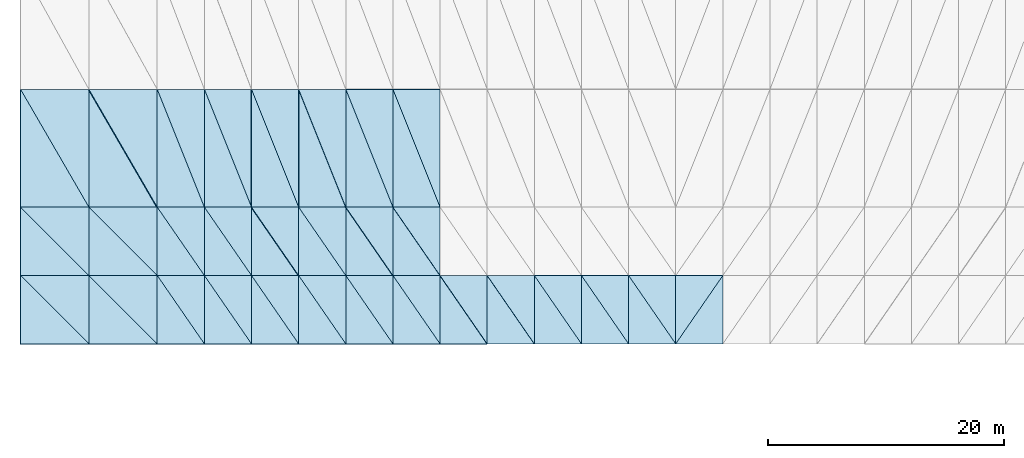
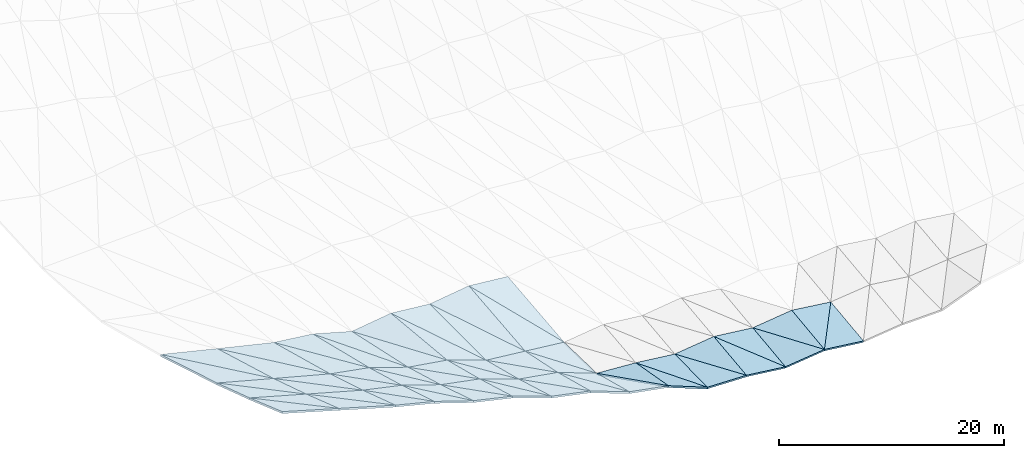
# One storey, part 24 of 42: 60 slabs, 2 elements without a shape of their own.
"""IFC4 building model written with IfcOpenShell, lengths in metres."""

from ifc_helpers import new_model, si_unit, direction, frame, origin, place, context, subcontext, project, spatial, polyline, outline, extrude, material, layer, layer_set, type_object, element, aggregate, save


model = new_model("IFC4")

# Units and contexts
model_context = context("Model", 3, precision=1e-05, world=origin(), true_north=direction((0.0, 1.0)))
body_context = subcontext(model_context, "Body", "Model", "MODEL_VIEW")
ifc_project = project(units=[si_unit("LENGTHUNIT", "METRE"), si_unit("AREAUNIT", "SQUARE_METRE"), si_unit("VOLUMEUNIT", "CUBIC_METRE"), si_unit("PLANEANGLEUNIT", "RADIAN"), si_unit("MASSUNIT", "GRAM", prefix="KILO")], contexts=[model_context])

# Site, building, storey
site_placement = place(None, origin())
site = spatial("IfcSite", under=ifc_project, at=site_placement, CompositionType="ELEMENT")
building_placement = place(site_placement, origin())
building = spatial("IfcBuilding", under=site, at=building_placement, Name="Khorjan Park Terminus", CompositionType="ELEMENT")
storey_placement = place(building_placement, frame((0.0, 0.0, 20.4)))
storey = spatial("IfcBuildingStorey", under=building, at=storey_placement, Name="L04", CompositionType="ELEMENT", Elevation=20.4)

# Roof, slabs
ifc_material = material(Name="Concrete C50/60", Category="concrete")
ifc_layer_1 = layer(ifc_material, 0.18)
ifc_layer_set_1 = layer_set([ifc_layer_1], Name="Concrete C50/60")
roof_type = type_object("IfcRoofType", Name="RF-SHELL-UPPER", PredefinedType="FREEFORM", material=ifc_layer_set_1)
roof_1_placement = place(storey_placement, origin())
roof_1 = element("IfcRoof", 1, at=roof_1_placement, inside=storey, type_object=roof_type, Name="Upper concourse upturned-corner folded concrete shell roof RF-CS1 (1)", PredefinedType="FREEFORM")
ifc_layer_2 = layer(ifc_material, 0.18)
ifc_layer_set_2 = layer_set([ifc_layer_2], Name="Concrete C50/60")
slab_type = type_object("IfcSlabType", Name="SL-SHL-180", PredefinedType="ROOF", material=ifc_layer_set_2)
slab_1_placement = place(storey_placement, frame((36.4, 14.4, 13.38), z_axis=(0.263585106078, 0.318346250279, 0.910592420783), x_axis=(0.960566359707, 0.0, -0.278050838157)))
slab_1 = element("IfcSlab", 2, at=slab_1_placement, type_object=slab_type, Name="Upper concourse folded concrete shell facet RS-18 (1)", PredefinedType="ROOF", context=body_context, shape_type="SweptSolid", body=[
    extrude(outline(polyline([(0.0, 0.0), (6.038104438480676, 0.0), (0.5638036845312661, 6.118307992844833), (0.0, 0.0)])), origin(), (0.0, 0.0, -1.0), 0.18),
])
slab_2_placement = place(storey_placement, frame((42.2, 14.4, 11.7011), z_axis=(0.255371541457, 0.310436819436, 0.915649691177), x_axis=(0.0, 0.947051068771, -0.321082969247)))
slab_2 = element("IfcSlab", 3, at=slab_2_placement, type_object=slab_type, Name="Upper concourse folded concrete shell facet RS-18 (2)", PredefinedType="ROOF", context=body_context, shape_type="SweptSolid", body=[
    extrude(outline(polyline([(0.0, 0.0), (6.124273749596764, 0.0), (5.604889938543339, 5.99890575161968), (0.0, 0.0)])), origin(), (0.0, 0.0, -1.0), 0.18),
])
slab_3_placement = place(storey_placement, frame((36.4, 20.2, 11.3523), z_axis=(0.256199804494, 0.300832040465, 0.918619477045), x_axis=(0.963239486929, 0.0, -0.268644171389)))
slab_3 = element("IfcSlab", 4, at=slab_3_placement, type_object=slab_type, Name="Upper concourse folded concrete shell facet RS-18 (3)", PredefinedType="ROOF", context=body_context, shape_type="SweptSolid", body=[
    extrude(outline(polyline([(0.0, 0.0), (6.02134783582547, -1.6653345369377348e-16), (0.5102627391361789, 6.081722806660072), (0.0, 0.0)])), origin(), (0.0, 0.0, -1.0), 0.18),
])
slab_4_placement = place(storey_placement, frame((42.2, 20.2, 9.7347), z_axis=(0.246306109006, 0.29121943987, 0.924404964563), x_axis=(0.0, 0.953789220294, -0.300476493676)))
slab_4 = element("IfcSlab", 5, at=slab_4_placement, type_object=slab_type, Name="Upper concourse folded concrete shell facet RS-18 (4)", PredefinedType="ROOF", context=body_context, shape_type="SweptSolid", body=[
    extrude(outline(polyline([(0.0, 0.0), (6.081008126947373, 0.0), (5.616651753620586, 5.984365824258311), (0.0, 0.0)])), origin(), (0.0, 0.0, -1.0), 0.18),
])
slab_5_placement = place(storey_placement, frame((36.4, 26.0, 9.4529), z_axis=(0.247451230816, 0.276186893288, 0.928702691039), x_axis=(0.96628745768, 0.0, -0.257465627086)))
slab_5 = element("IfcSlab", 6, at=slab_5_placement, type_object=slab_type, Name="Upper concourse folded concrete shell facet RS-18 (5)", PredefinedType="ROOF", context=body_context, shape_type="SweptSolid", body=[
    extrude(outline(polyline([(0.0, 0.0), (6.002354634641313, -5.551115123125783e-17), (0.7656770283908161, 10.404701816880417), (0.0, 0.0)])), origin(), (0.0, 0.0, -1.0), 0.18),
])
slab_6_placement = place(storey_placement, frame((42.2, 26.0, 7.9075), z_axis=(0.225520282172, 0.26473504399, 0.9375798413), x_axis=(0.0, 0.962372013893, -0.271735361843)))
slab_6 = element("IfcSlab", 7, at=slab_6_placement, type_object=slab_type, Name="Upper concourse folded concrete shell facet RS-18 (6)", PredefinedType="ROOF", context=body_context, shape_type="SweptSolid", body=[
    extrude(outline(polyline([(0.0, 0.0), (10.390992106627742, 0.0), (10.011894103320873, 5.953367846344522), (0.0, 0.0)])), origin(), (0.0, 0.0, -1.0), 0.18),
])
slab_7_placement = place(storey_placement, frame((42.2, 14.4, 11.7011), z_axis=(0.264398728306, 0.30965673576, 0.913348793435), x_axis=(0.960561936259, 0.0, -0.278066119134)))
slab_7 = element("IfcSlab", 8, at=slab_7_placement, type_object=slab_type, Name="Upper concourse folded concrete shell facet RS-18 (21)", PredefinedType="ROOF", context=body_context, shape_type="SweptSolid", body=[
    extrude(outline(polyline([(0.0, 0.0), (6.038132244328537, 1.1102230246251565e-16), (0.5467892166656512, 6.09981561299505), (0.0, 0.0)])), origin(), (0.0, 0.0, -1.0), 0.18),
])
slab_8_placement = place(storey_placement, frame((48.0, 14.4, 10.0221), z_axis=(0.254949295013, 0.300491235088, 0.919078818496), x_axis=(0.0, 0.950488250775, -0.310760494818)))
slab_8 = element("IfcSlab", 9, at=slab_8_placement, type_object=slab_type, Name="Upper concourse folded concrete shell facet RS-18 (22)", PredefinedType="ROOF", context=body_context, shape_type="SweptSolid", body=[
    extrude(outline(polyline([(0.0, 0.0), (6.102126980815787, -5.551115123125783e-17), (5.602144420703261, 5.998214455117729), (0.0, 0.0)])), origin(), (0.0, 0.0, -1.0), 0.18),
])
slab_9_placement = place(storey_placement, frame((42.2, 20.2, 9.7347), z_axis=(0.255776881502, 0.29048139591, 0.922062224321), x_axis=(0.963612582455, 0.0, -0.267302807571)))
slab_9 = element("IfcSlab", 10, at=slab_9_placement, type_object=slab_type, Name="Upper concourse folded concrete shell facet RS-18 (23)", PredefinedType="ROOF", context=body_context, shape_type="SweptSolid", body=[
    extrude(outline(polyline([(0.0, 0.0), (6.01901646533717, 0.0), (0.488415689993517, 6.061362054337966), (0.0, 0.0)])), origin(), (0.0, 0.0, -1.0), 0.18),
])
slab_10_placement = place(storey_placement, frame((48.0, 20.2, 8.1258), z_axis=(0.244585523529, 0.279530886305, 0.9284613106), x_axis=(0.0, 0.95754410517, -0.288286813181)))
slab_10 = element("IfcSlab", 11, at=slab_10_placement, type_object=slab_type, Name="Upper concourse folded concrete shell facet RS-18 (24)", PredefinedType="ROOF", context=body_context, shape_type="SweptSolid", body=[
    extrude(outline(polyline([(0.0, 0.0), (6.05716224316305, 1.1102230246251565e-16), (5.6166888213042405, 5.981677153995857), (0.0, 0.0)])), origin(), (0.0, 0.0, -1.0), 0.18),
])
slab_11_placement = place(storey_placement, frame((42.2, 26.0, 7.9075), z_axis=(0.245744419081, 0.263402504219, 0.932860547596), x_axis=(0.967009499939, 0.0, -0.254740312923)))
slab_11 = element("IfcSlab", 12, at=slab_11_placement, type_object=slab_type, Name="Upper concourse folded concrete shell facet RS-18 (25)", PredefinedType="ROOF", context=body_context, shape_type="SweptSolid", body=[
    extrude(outline(polyline([(0.0, 0.0), (5.997872823760101, 0.0), (0.7192847475707942, 10.366067065763758), (0.0, 0.0)])), origin(), (0.0, 0.0, -1.0), 0.18),
])
slab_12_placement = place(storey_placement, frame((48.0, 26.0, 6.3796), z_axis=(0.221395740689, 0.250523458042, 0.942455263116), x_axis=(0.0, 0.966438351588, -0.256898642619)))
slab_12 = element("IfcSlab", 13, at=slab_12_placement, type_object=slab_type, Name="Upper concourse folded concrete shell facet RS-18 (26)", PredefinedType="ROOF", context=body_context, shape_type="SweptSolid", body=[
    extrude(outline(polyline([(0.0, 0.0), (10.347271487691815, -1.1102230246251565e-16), (9.997247087123206, 5.947595242533452), (0.0, 0.0)])), origin(), (0.0, 0.0, -1.0), 0.18),
])
slab_13_placement = place(storey_placement, frame((48.0, 14.4, 10.0221), z_axis=(0.230024559333, 0.302427397526, 0.925000741259), x_axis=(0.970444295595, 0.0, -0.241325235207)))
slab_13 = element("IfcSlab", 14, at=slab_13_placement, type_object=slab_type, Name="Upper concourse folded concrete shell facet RS-18 (41)", PredefinedType="ROOF", context=body_context, shape_type="SweptSolid", body=[
    extrude(outline(polyline([(0.0, 0.0), (4.121823393839188, 0.0), (0.4576250435230546, 6.084943139384337), (0.0, 0.0)])), origin(), (0.0, 0.0, -1.0), 0.18),
])
slab_14_placement = place(storey_placement, frame((52.0, 14.4, 9.0274), z_axis=(0.202728499291, 0.285423457833, 0.936714793998), x_axis=(0.0, 0.956578153844, -0.291475960567)))
slab_14 = element("IfcSlab", 15, at=slab_14_placement, type_object=slab_type, Name="Upper concourse folded concrete shell facet RS-18 (42)", PredefinedType="ROOF", context=body_context, shape_type="SweptSolid", body=[
    extrude(outline(polyline([(0.0, 0.0), (6.063278757405105, 0.0), (5.810948018342273, 4.084821377750075), (0.0, 0.0)])), origin(), (0.0, 0.0, -1.0), 0.18),
])
slab_15_placement = place(storey_placement, frame((48.0, 20.2, 8.1258), z_axis=(0.202924788483, 0.282288812043, 0.937621755728), x_axis=(0.977371995553, 0.0, -0.211527734137)))
slab_15 = element("IfcSlab", 16, at=slab_15_placement, type_object=slab_type, Name="Upper concourse folded concrete shell facet RS-18 (43)", PredefinedType="ROOF", context=body_context, shape_type="SweptSolid", body=[
    extrude(outline(polyline([(0.0, 0.0), (4.092607541653609, -2.7755575615628914e-17), (0.36936972935088924, 6.045889549358248), (0.0, 0.0)])), origin(), (0.0, 0.0, -1.0), 0.18),
])
slab_16_placement = place(storey_placement, frame((52.0, 20.2, 7.2601), z_axis=(0.172989073563, 0.263379237329, 0.949055402899), x_axis=(0.0, 0.963582621703, -0.267410791016)))
slab_16 = element("IfcSlab", 17, at=slab_16_placement, type_object=slab_type, Name="Upper concourse folded concrete shell facet RS-18 (44)", PredefinedType="ROOF", context=body_context, shape_type="SweptSolid", body=[
    extrude(outline(polyline([(0.0, 0.0), (6.019203615097268, 5.551115123125783e-17), (5.824234407367445, 4.061228116966246), (0.0, 0.0)])), origin(), (0.0, 0.0, -1.0), 0.18),
])
slab_17_placement = place(storey_placement, frame((48.0, 26.0, 6.3796), z_axis=(0.173486345816, 0.253003102153, 0.951783545832), x_axis=(0.983790717148, 0.0, -0.179320452968)))
slab_17 = element("IfcSlab", 18, at=slab_17_placement, type_object=slab_type, Name="Upper concourse folded concrete shell facet RS-18 (45)", PredefinedType="ROOF", context=body_context, shape_type="SweptSolid", body=[
    extrude(outline(polyline([(0.0, 0.0), (4.065905410852545, 0.0), (0.47666962808011143, 10.336286243408024), (0.0, 0.0)])), origin(), (0.0, 0.0, -1.0), 0.18),
])
slab_18_placement = place(storey_placement, frame((52.0, 26.0, 5.6505), z_axis=(0.114910383144, 0.232283649053, 0.9658363786), x_axis=(0.0, 0.972276874477, -0.233832588312)))
slab_18 = element("IfcSlab", 19, at=slab_18_placement, type_object=slab_type, Name="Upper concourse folded concrete shell facet RS-18 (46)", PredefinedType="ROOF", context=body_context, shape_type="SweptSolid", body=[
    extrude(outline(polyline([(0.0, 0.0), (10.285136119663171, 0.0), (10.173855190885586, 4.026673237908734), (0.0, 0.0)])), origin(), (0.0, 0.0, -1.0), 0.18),
])
slab_19_placement = place(storey_placement, frame((52.0, 14.4, 9.0274), z_axis=(0.301256550335, 0.277934898247, 0.912138521945), x_axis=(0.949550910694, 0.0, -0.313612927029)))
slab_19 = element("IfcSlab", 20, at=slab_19_placement, type_object=slab_type, Name="Upper concourse folded concrete shell facet RS-18 (61)", PredefinedType="ROOF", context=body_context, shape_type="SweptSolid", body=[
    extrude(outline(polyline([(0.0, 0.0), (4.212517680675061, -5.551115123125783e-17), (0.554248125939223, 6.037893532093196), (0.0, 0.0)])), origin(), (0.0, 0.0, -1.0), 0.18),
])
slab_20_placement = place(storey_placement, frame((56.0, 14.4, 7.7063), z_axis=(0.304722123634, 0.280183325236, 0.910297606076), x_axis=(0.0, 0.955751926517, -0.294173851589)))
slab_20 = element("IfcSlab", 21, at=slab_20_placement, type_object=slab_type, Name="Upper concourse folded concrete shell facet RS-18 (62)", PredefinedType="ROOF", context=body_context, shape_type="SweptSolid", body=[
    extrude(outline(polyline([(0.0, 0.0), (6.068520333656302, 1.1102230246251565e-16), (5.674621546378154, 4.199733889829308), (0.0, 0.0)])), origin(), (0.0, 0.0, -1.0), 0.18),
])
slab_21_placement = place(storey_placement, frame((52.0, 20.2, 7.2601), z_axis=(0.306984365035, 0.254498742736, 0.917055608766), x_axis=(0.948279508814, 0.0, -0.317436565575)))
slab_21 = element("IfcSlab", 22, at=slab_21_placement, type_object=slab_type, Name="Upper concourse folded concrete shell facet RS-18 (63)", PredefinedType="ROOF", context=body_context, shape_type="SweptSolid", body=[
    extrude(outline(polyline([(0.0, 0.0), (4.218165596559718, 0.0), (0.5109458959500776, 5.997478341053995), (0.0, 0.0)])), origin(), (0.0, 0.0, -1.0), 0.18),
])
slab_22_placement = place(storey_placement, frame((56.0, 20.2, 5.9211), z_axis=(0.309031581188, 0.255860824409, 0.915988384403), x_axis=(0.0, 0.963131983886, -0.269029332258)))
slab_22 = element("IfcSlab", 23, at=slab_22_placement, type_object=slab_type, Name="Upper concourse folded concrete shell facet RS-18 (64)", PredefinedType="ROOF", context=body_context, shape_type="SweptSolid", body=[
    extrude(outline(polyline([(0.0, 0.0), (6.022019927731892, 0.0), (5.658964843850187, 4.205869857243285), (0.0, 0.0)])), origin(), (0.0, 0.0, -1.0), 0.18),
])
slab_23_placement = place(storey_placement, frame((52.0, 26.0, 5.6505), z_axis=(0.311681983552, 0.222184563303, 0.923844338057), x_axis=(0.947528159205, 0.0, -0.319672312712)))
slab_23 = element("IfcSlab", 24, at=slab_23_placement, type_object=slab_type, Name="Upper concourse folded concrete shell facet RS-18 (65)", PredefinedType="ROOF", context=body_context, shape_type="SweptSolid", body=[
    extrude(outline(polyline([(0.0, 0.0), (4.221510422822618, -5.551115123125783e-17), (0.7688119120714944, 10.256361598727736), (0.0, 0.0)])), origin(), (0.0, 0.0, -1.0), 0.18),
])
slab_24_placement = place(storey_placement, frame((56.0, 26.0, 4.301), z_axis=(0.264906950261, 0.205405933301, 0.942142616735), x_axis=(0.0, 0.977048677743, -0.213016152722)))
slab_24 = element("IfcSlab", 25, at=slab_24_placement, type_object=slab_type, Name="Upper concourse folded concrete shell facet RS-18 (66)", PredefinedType="ROOF", context=body_context, shape_type="SweptSolid", body=[
    extrude(outline(polyline([(0.0, 0.0), (10.23490459359539, 0.0), (9.995325326629441, 4.148198628903882), (0.0, 0.0)])), origin(), (0.0, 0.0, -1.0), 0.18),
])
slab_25_placement = place(storey_placement, frame((56.0, 14.4, 7.7063), z_axis=(0.212692000557, 0.287442945906, 0.933883646793), x_axis=(0.975032187239, 0.0, -0.222063580644)))
slab_25 = element("IfcSlab", 26, at=slab_25_placement, type_object=slab_type, Name="Upper concourse folded concrete shell facet RS-18 (81)", PredefinedType="ROOF", context=body_context, shape_type="SweptSolid", body=[
    extrude(outline(polyline([(0.0, 0.0), (4.102428670921653, 0.0), (0.39642790416503043, 6.055558104485442), (0.0, 0.0)])), origin(), (0.0, 0.0, -1.0), 0.18),
])
slab_26_placement = place(storey_placement, frame((60.0, 14.4, 6.7953), z_axis=(0.182899528661, 0.268678318411, 0.945705939302), x_axis=(0.0, 0.961932186661, -0.273288251238)))
slab_26 = element("IfcSlab", 27, at=slab_26_placement, type_object=slab_type, Name="Upper concourse folded concrete shell facet RS-18 (82)", PredefinedType="ROOF", context=body_context, shape_type="SweptSolid", body=[
    extrude(outline(polyline([(0.0, 0.0), (6.0295310630263765, 0.0), (5.818115271868618, 4.068631259188911), (0.0, 0.0)])), origin(), (0.0, 0.0, -1.0), 0.18),
])
slab_27_placement = place(storey_placement, frame((56.0, 20.2, 5.9211), z_axis=(0.183120010139, 0.264480198647, 0.946845967626), x_axis=(0.981807019959, 0.0, -0.18988147766)))
slab_27 = element("IfcSlab", 28, at=slab_27_placement, type_object=slab_type, Name="Upper concourse folded concrete shell facet RS-18 (83)", PredefinedType="ROOF", context=body_context, shape_type="SweptSolid", body=[
    extrude(outline(polyline([(0.0, 0.0), (4.074120390955574, 2.7755575615628914e-17), (0.30762698195721283, 6.014157434751098), (0.0, 0.0)])), origin(), (0.0, 0.0, -1.0), 0.18),
])
slab_28_placement = place(storey_placement, frame((60.0, 20.2, 5.1475), z_axis=(0.150588125048, 0.243685768742, 0.958092095107), x_axis=(0.0, 0.969143637931, -0.246496671496)))
slab_28 = element("IfcSlab", 29, at=slab_28_placement, type_object=slab_type, Name="Upper concourse folded concrete shell facet RS-18 (84)", PredefinedType="ROOF", context=body_context, shape_type="SweptSolid", body=[
    extrude(outline(polyline([(0.0, 0.0), (5.984664989788485, 2.7755575615628914e-17), (5.829692532419108, 4.046139793365636), (0.0, 0.0)])), origin(), (0.0, 0.0, -1.0), 0.18),
])
slab_29_placement = place(storey_placement, frame((56.0, 26.0, 4.301), z_axis=(0.151788243329, 0.21054794217, 0.965727649617), x_axis=(0.987872255403, 0.0, -0.155268821743)))
slab_29 = element("IfcSlab", 30, at=slab_29_placement, type_object=slab_type, Name="Upper concourse folded concrete shell facet RS-18 (85)", PredefinedType="ROOF", context=body_context, shape_type="SweptSolid", body=[
    extrude(outline(polyline([(0.0, 0.0), (4.049106529840874, -2.7755575615628914e-17), (0.3385170851639389, 10.229304874870634), (0.0, 0.0)])), origin(), (0.0, 0.0, -1.0), 0.18),
])
slab_30_placement = place(storey_placement, frame((60.0, 26.0, 3.6723), z_axis=(-0.139344910731, 0.097157105721, 0.985466129637), x_axis=(0.0, 0.995175150706, -0.098114318108)))
slab_30 = element("IfcSlab", 31, at=slab_30_placement, type_object=slab_type, Name="Upper concourse folded concrete shell facet RS-18 (86)", PredefinedType="ROOF", context=body_context, shape_type="SweptSolid", body=[
    extrude(outline(polyline([(0.0, 0.0), (10.048482413280126, 2.7755575615628914e-17), (10.103975871602055, 4.039408847354211), (0.0, 0.0)])), origin(), (0.0, 0.0, -1.0), 0.18),
])
slab_31_placement = place(storey_placement, frame((60.0, 14.4, 6.7953), z_axis=(0.320059797691, 0.258912563151, 0.911331997981), x_axis=(0.943504791133, 0.0, -0.331358882646)))
slab_31 = element("IfcSlab", 32, at=slab_31_placement, type_object=slab_type, Name="Upper concourse folded concrete shell facet RS-18 (101)", PredefinedType="ROOF", context=body_context, shape_type="SweptSolid", body=[
    extrude(outline(polyline([(0.0, 0.0), (4.239512122874517, -5.551115123125783e-17), (0.5460131668241281, 6.004757652200019), (0.0, 0.0)])), origin(), (0.0, 0.0, -1.0), 0.18),
])
slab_32_placement = place(storey_placement, frame((64.0, 14.4, 5.3905), z_axis=(0.321894998392, 0.260136512295, 0.910336533915), x_axis=(0.0, 0.961512686437, -0.274760539052)))
slab_32 = element("IfcSlab", 33, at=slab_32_placement, type_object=slab_type, Name="Upper concourse folded concrete shell facet RS-18 (102)", PredefinedType="ROOF", context=body_context, shape_type="SweptSolid", body=[
    extrude(outline(polyline([(0.0, 0.0), (6.032161698761067, 1.1102230246251565e-16), (5.643540392326016, 4.224866961240877), (0.0, 0.0)])), origin(), (0.0, 0.0, -1.0), 0.18),
])
slab_33_placement = place(storey_placement, frame((60.0, 20.2, 5.1475), z_axis=(0.324182150725, 0.233184539685, 0.916804724902), x_axis=(0.942795230781, 0.0, -0.333372393604)))
slab_33 = element("IfcSlab", 34, at=slab_33_placement, type_object=slab_type, Name="Upper concourse folded concrete shell facet RS-18 (103)", PredefinedType="ROOF", context=body_context, shape_type="SweptSolid", body=[
    extrude(outline(polyline([(0.0, 0.0), (4.242702836636099, -5.551115123125783e-17), (0.4917909550446711, 5.96442425524344), (0.0, 0.0)])), origin(), (0.0, 0.0, -1.0), 0.18),
])
slab_34_placement = place(storey_placement, frame((64.0, 20.2, 3.7331), z_axis=(0.324587654526, 0.233461953105, 0.916590623442), x_axis=(0.0, 0.969059763172, -0.246826204851)))
slab_34 = element("IfcSlab", 35, at=slab_34_placement, type_object=slab_type, Name="Upper concourse folded concrete shell facet RS-18 (104)", PredefinedType="ROOF", context=body_context, shape_type="SweptSolid", body=[
    extrude(outline(polyline([(0.0, 0.0), (5.985182978823622, -1.1102230246251565e-16), (5.635553659652616, 4.228975241021874), (0.0, 0.0)])), origin(), (0.0, 0.0, -1.0), 0.18),
])
slab_35_placement = place(storey_placement, frame((60.0, 26.0, 3.6723), z_axis=(0.332379965278, 0.092536084086, 0.93859503079), x_axis=(0.942639584618, 0.0, -0.333812242903)))
slab_35 = element("IfcSlab", 36, at=slab_35_placement, type_object=slab_type, Name="Upper concourse folded concrete shell facet RS-18 (105)", PredefinedType="ROOF", context=body_context, shape_type="SweptSolid", body=[
    extrude(outline(polyline([(0.0, 0.0), (4.243403380542557, 0.0), (0.32910549027781494, 10.043091575121132), (0.0, 0.0)])), origin(), (0.0, 0.0, -1.0), 0.18),
])
slab_36_placement = place(storey_placement, frame((64.0, 26.0, 2.2558), z_axis=(0.096669264145, -0.004190245581, 0.995307738949), x_axis=(0.0, 0.999991138068, 0.004209962691)))
slab_36 = element("IfcSlab", 37, at=slab_36_placement, type_object=slab_type, Name="Upper concourse folded concrete shell facet RS-18 (106)", PredefinedType="ROOF", context=body_context, shape_type="SweptSolid", body=[
    extrude(outline(polyline([(0.0, 0.0), (10.000088620107324, 0.0), (10.001724190612881, 4.018821913808712), (0.0, 0.0)])), origin(), (0.0, 0.0, -1.0), 0.18),
])
slab_37_placement = place(storey_placement, frame((64.0, 14.4, 5.3905), z_axis=(0.19504550156, 0.26948354163, 0.94304606097), x_axis=(0.979274319101, 0.0, -0.202538411048)))
slab_37 = element("IfcSlab", 38, at=slab_37_placement, type_object=slab_type, Name="Upper concourse folded concrete shell facet RS-18 (121)", PredefinedType="ROOF", context=body_context, shape_type="SweptSolid", body=[
    extrude(outline(polyline([(0.0, 0.0), (4.084657303862834, 2.7755575615628914e-17), (0.33568716247096175, 6.0228140340668155), (0.0, 0.0)])), origin(), (0.0, 0.0, -1.0), 0.18),
])
slab_38_placement = place(storey_placement, frame((68.0, 14.4, 4.5632), z_axis=(0.162694380811, 0.248851683131, 0.954779230113), x_axis=(0.0, 0.967671996782, -0.252212027161)))
slab_38 = element("IfcSlab", 39, at=slab_38_placement, type_object=slab_type, Name="Upper concourse folded concrete shell facet RS-18 (122)", PredefinedType="ROOF", context=body_context, shape_type="SweptSolid", body=[
    extrude(outline(polyline([(0.0, 0.0), (5.993766502792713, 5.551115123125783e-17), (5.821858785079668, 4.054013603404741), (0.0, 0.0)])), origin(), (0.0, 0.0, -1.0), 0.18),
])
slab_39_placement = place(storey_placement, frame((64.0, 20.2, 3.7331), z_axis=(0.162921516608, 0.243528367821, 0.956112186667), x_axis=(0.985790621278, 0.0, -0.167978721866)))
slab_39 = element("IfcSlab", 40, at=slab_39_placement, type_object=slab_type, Name="Upper concourse folded concrete shell facet RS-18 (123)", PredefinedType="ROOF", context=body_context, shape_type="SweptSolid", body=[
    extrude(outline(polyline([(0.0, 0.0), (4.057656781937083, -2.7755575615628914e-17), (0.24815496581238758, 5.980036321205972), (0.0, 0.0)])), origin(), (0.0, 0.0, -1.0), 0.18),
])
slab_40_placement = place(storey_placement, frame((68.0, 20.2, 3.0515), z_axis=(0.100756100536, 0.203104120929, 0.973959405862), x_axis=(0.0, 0.978941084388, -0.204142972684)))
slab_40 = element("IfcSlab", 41, at=slab_40_placement, type_object=slab_type, Name="Upper concourse folded concrete shell facet RS-18 (124)", PredefinedType="ROOF", context=body_context, shape_type="SweptSolid", body=[
    extrude(outline(polyline([(0.0, 0.0), (5.924769214914621, 1.3877787807814457e-17), (5.840294852817935, 4.020459491419899), (0.0, 0.0)])), origin(), (0.0, 0.0, -1.0), 0.18),
])
slab_41_placement = place(storey_placement, frame((64.0, 26.0, 2.2558), z_axis=(0.102899945668, -0.004187614995, 0.994682896738), x_axis=(0.994691618291, 0.0, -0.102900847912)))
slab_41 = element("IfcSlab", 42, at=slab_41_placement, type_object=slab_type, Name="Upper concourse folded concrete shell facet RS-18 (125)", PredefinedType="ROOF", context=body_context, shape_type="SweptSolid", body=[
    extrude(outline(polyline([(0.0, 0.0), (4.021346844031238, -2.168404344971009e-19), (-0.004332125697105168, 10.000087681749944), (0.0, 0.0)])), origin(), (0.0, 0.0, -1.0), 0.18),
])
slab_42_placement = place(storey_placement, frame((68.0, 26.0, 1.842), z_axis=(-0.139296582326, -0.100630451801, 0.985124344599), x_axis=(0.0, 0.994823167424, 0.101621186552)))
slab_42 = element("IfcSlab", 43, at=slab_42_placement, type_object=slab_type, Name="Upper concourse folded concrete shell facet RS-18 (126)", PredefinedType="ROOF", context=body_context, shape_type="SweptSolid", body=[
    extrude(outline(polyline([(0.0, 0.0), (10.052037716304092, 0.0), (9.994560773190072, 4.039381111136985), (0.0, 0.0)])), origin(), (0.0, 0.0, -1.0), 0.18),
])
aggregate(roof_1, [slab_1, slab_2, slab_3, slab_4, slab_5, slab_6, slab_7, slab_8, slab_9, slab_10, slab_11, slab_12, slab_13, slab_14, slab_15, slab_16, slab_17, slab_18, slab_19, slab_20, slab_21, slab_22, slab_23, slab_24, slab_25, slab_26, slab_27, slab_28, slab_29, slab_30, slab_31, slab_32, slab_33, slab_34, slab_35, slab_36, slab_37, slab_38, slab_39, slab_40, slab_41, slab_42])

roof_2_placement = place(storey_placement, origin())
roof_2 = element("IfcRoof", 44, at=roof_2_placement, inside=storey, type_object=roof_type, Name="Upper concourse upturned-corner folded concrete shell roof RF-CS1 (2)", PredefinedType="FREEFORM")
slab_43_placement = place(storey_placement, frame((68.0, 14.4, 4.5632), z_axis=(0.338798545373, 0.237295940621, 0.910442849507), x_axis=(0.937212055598, 0.0, -0.348760036189)))
slab_43 = element("IfcSlab", 45, at=slab_43_placement, type_object=slab_type, Name="Upper concourse folded concrete shell facet RS-18 (141)", PredefinedType="ROOF", context=body_context, shape_type="SweptSolid", body=[
    extrude(outline(polyline([(0.0, 0.0), (4.267977536257661, 0.0), (0.5272205467072453, 5.970533927977439), (0.0, 0.0)])), origin(), (0.0, 0.0, -1.0), 0.18),
])
slab_44_placement = place(storey_placement, frame((72.0, 14.4, 3.0747), z_axis=(0.339044014736, 0.237464688292, 0.91030746338), x_axis=(0.0, 0.967619044028, -0.252415105796)))
slab_44 = element("IfcSlab", 46, at=slab_44_placement, type_object=slab_type, Name="Upper concourse folded concrete shell facet RS-18 (142)", PredefinedType="ROOF", context=body_context, shape_type="SweptSolid", body=[
    extrude(outline(polyline([(0.0, 0.0), (5.994094510432746, -5.551115123125783e-17), (5.61804648581839, 4.251833948213834), (0.0, 0.0)])), origin(), (0.0, 0.0, -1.0), 0.18),
])
slab_45_placement = place(storey_placement, frame((68.0, 20.2, 3.0515), z_axis=(0.342548023853, 0.191792388171, 0.919715462083), x_axis=(0.937112467786, 0.0, -0.349027538627)))
slab_45 = element("IfcSlab", 47, at=slab_45_placement, type_object=slab_type, Name="Upper concourse folded concrete shell facet RS-18 (143)", PredefinedType="ROOF", context=body_context, shape_type="SweptSolid", body=[
    extrude(outline(polyline([(0.0, 0.0), (4.268431098190528, 0.0), (0.42214880796924725, 5.909710706450032), (0.0, 0.0)])), origin(), (0.0, 0.0, -1.0), 0.18),
])
slab_46_placement = place(storey_placement, frame((72.0, 20.2, 1.5617), z_axis=(0.106701894098, 0.025551695887, 0.993962683723), x_axis=(0.0, 0.999669741413, -0.025698406628)))
slab_46 = element("IfcSlab", 48, at=slab_46_placement, type_object=slab_type, Name="Upper concourse folded concrete shell facet RS-18 (144)", PredefinedType="ROOF", context=body_context, shape_type="SweptSolid", body=[
    extrude(outline(polyline([(0.0, 0.0), (5.8019161326237745, 3.469446951953614e-18), (5.790881236817542, 4.022966889134754), (0.0, 0.0)])), origin(), (0.0, 0.0, -1.0), 0.18),
])
slab_47_placement = place(storey_placement, frame((68.0, 26.0, 1.842), z_axis=(0.106190432068, -0.101046601172, 0.989198249356), x_axis=(0.994287316425, 0.0, -0.106736743418)))
slab_47 = element("IfcSlab", 49, at=slab_47_placement, type_object=slab_type, Name="Upper concourse folded concrete shell facet RS-18 (145)", PredefinedType="ROOF", context=body_context, shape_type="SweptSolid", body=[
    extrude(outline(polyline([(0.0, 0.0), (4.022982023325484, 0.0), (-0.10903158340176182, 10.051446381681638), (0.0, 0.0)])), origin(), (0.0, 0.0, -1.0), 0.18),
])
slab_48_placement = place(storey_placement, frame((72.0, 26.0, 1.4126), z_axis=(0.096109530431, -0.10516619576, 0.989799489508), x_axis=(0.0, 0.994402814649, 0.105655299056)))
slab_48 = element("IfcSlab", 50, at=slab_48_placement, type_object=slab_type, Name="Upper concourse folded concrete shell facet RS-18 (146)", PredefinedType="ROOF", context=body_context, shape_type="SweptSolid", body=[
    extrude(outline(polyline([(0.0, 0.0), (10.056286901734655, -2.7755575615628914e-17), (10.097323419888172, 4.018603061286078), (0.0, 0.0)])), origin(), (0.0, 0.0, -1.0), 0.18),
])
slab_49_placement = place(storey_placement, frame((72.0, 14.4, 3.0747), z_axis=(0.177038961691, 0.248427917344, 0.952334382414), x_axis=(0.983155941904, 0.0, -0.1827686896)))
slab_49 = element("IfcSlab", 51, at=slab_49_placement, type_object=slab_type, Name="Upper concourse folded concrete shell facet RS-18 (161)", PredefinedType="ROOF", context=body_context, shape_type="SweptSolid", body=[
    extrude(outline(polyline([(0.0, 0.0), (4.0685305652041, 2.7755575615628914e-17), (0.2765290273648355, 5.98771247614852), (0.0, 0.0)])), origin(), (0.0, 0.0, -1.0), 0.18),
])
slab_50_placement = place(storey_placement, frame((76.0, 14.4, 2.3311), z_axis=(0.064985555279, 0.175137655168, 0.9823969052), x_axis=(0.0, 0.9844778899, -0.17550864451)))
slab_50 = element("IfcSlab", 52, at=slab_50_placement, type_object=slab_type, Name="Upper concourse folded concrete shell facet RS-18 (162)", PredefinedType="ROOF", context=body_context, shape_type="SweptSolid", body=[
    extrude(outline(polyline([(0.0, 0.0), (5.891447699844241, 0.0), (5.8450081125069495, 4.008473091431193), (0.0, 0.0)])), origin(), (0.0, 0.0, -1.0), 0.18),
])
slab_51_placement = place(storey_placement, frame((76.0, 14.4, 2.3311), z_axis=(0.360874271087, 0.163681902497, 0.918138331224), x_axis=(0.930690394254, 0.0, -0.365807859461)))
slab_51 = element("IfcSlab", 53, at=slab_51_placement, type_object=slab_type, Name="Upper concourse folded concrete shell facet RS-18 (181)", PredefinedType="ROOF", context=body_context, shape_type="SweptSolid", body=[
    extrude(outline(polyline([(0.0, 0.0), (4.29788469366036, 0.0), (0.3782453266831345, 5.8792930249173985), (0.0, 0.0)])), origin(), (0.0, 0.0, -1.0), 0.18),
])
slab_52_placement = place(storey_placement, frame((80.0, 14.4, 0.7589), z_axis=(0.112567782973, -0.014560461321, 0.993537360748), x_axis=(0.0, 0.999892630256, 0.014653598892)))
slab_52 = element("IfcSlab", 54, at=slab_52_placement, type_object=slab_type, Name="Upper concourse folded concrete shell facet RS-18 (182)", PredefinedType="ROOF", context=body_context, shape_type="SweptSolid", body=[
    extrude(outline(polyline([(0.0, 0.0), (5.800622811388445, 0.0), (5.807263822406154, 4.02558643392148), (0.0, 0.0)])), origin(), (0.0, 0.0, -1.0), 0.18),
])
slab_53_placement = place(storey_placement, frame((80.0, 14.4, 0.7589), z_axis=(0.02546400511, -0.014648847311, 0.999568404721), x_axis=(0.999675670041, 0.0, -0.025466737694)))
slab_53 = element("IfcSlab", 55, at=slab_53_placement, type_object=slab_type, Name="Upper concourse folded concrete shell facet RS-18 (201)", PredefinedType="ROOF", context=body_context, shape_type="SweptSolid", body=[
    extrude(outline(polyline([(0.0, 0.0), (4.001297740733623, 2.168404344971009e-19), (-0.002164672704014293, 5.8006224074828445), (0.0, 0.0)])), origin(), (0.0, 0.0, -1.0), 0.18),
])
slab_54_placement = place(storey_placement, frame((84.0, 14.4, 0.657), z_axis=(-0.123355163104, -0.116828178689, 0.985461658513), x_axis=(0.0, 0.993045960815, 0.117727310803)))
slab_54 = element("IfcSlab", 56, at=slab_54_placement, type_object=slab_type, Name="Upper concourse folded concrete shell facet RS-18 (202)", PredefinedType="ROOF", context=body_context, shape_type="SweptSolid", body=[
    extrude(outline(polyline([(0.0, 0.0), (5.840615871635455, 0.0), (5.781669807116476, 4.030784768686827), (0.0, 0.0)])), origin(), (0.0, 0.0, -1.0), 0.18),
])
slab_55_placement = place(storey_placement, frame((84.0, 14.4, 0.657), z_axis=(0.117599028384, -0.11691041989, 0.986155374292), x_axis=(0.99296466527, 0.0, -0.118411036333)))
slab_55 = element("IfcSlab", 57, at=slab_55_placement, type_object=slab_type, Name="Upper concourse folded concrete shell facet RS-18 (221)", PredefinedType="ROOF", context=body_context, shape_type="SweptSolid", body=[
    extrude(outline(polyline([(0.0, 0.0), (4.028340725410402, -6.938893903907228e-18), (-0.08141942858286533, 5.840048341978791), (0.0, 0.0)])), origin(), (0.0, 0.0, -1.0), 0.18),
])
slab_56_placement = place(storey_placement, frame((88.0, 14.4, 0.18), z_axis=(0.111752810051, -0.120980231108, 0.986344307596), x_axis=(0.0, 0.992561678115, 0.121742823761)))
slab_56 = element("IfcSlab", 58, at=slab_56_placement, type_object=slab_type, Name="Upper concourse folded concrete shell facet RS-18 (222)", PredefinedType="ROOF", context=body_context, shape_type="SweptSolid", body=[
    extrude(outline(polyline([(0.0, 0.0), (5.843465577891257, 0.0), (5.898639425619534, 4.025213793890563), (0.0, 0.0)])), origin(), (0.0, 0.0, -1.0), 0.18),
])
slab_57_placement = place(storey_placement, frame((88.0, 14.4, 0.18), z_axis=(-0.117542470947, -0.120898885031, 0.985681098085), x_axis=(0.99296466527, 0.0, 0.118411036333)))
slab_57 = element("IfcSlab", 59, at=slab_57_placement, type_object=slab_type, Name="Upper concourse folded concrete shell facet RS-18 (241)", PredefinedType="ROOF", context=body_context, shape_type="SweptSolid", body=[
    extrude(outline(polyline([(0.0, 0.0), (4.028340725410401, 6.938893903907228e-18), (0.08423761124760108, 5.842858374533075), (0.0, 0.0)])), origin(), (0.0, 0.0, -1.0), 0.18),
])
slab_58_placement = place(storey_placement, frame((92.0, 14.4, 0.657), z_axis=(-0.123258990923, -0.124793447899, 0.984496732609), x_axis=(0.0, 0.992061662374, 0.125752367962)))
slab_58 = element("IfcSlab", 60, at=slab_58_placement, type_object=slab_type, Name="Upper concourse folded concrete shell facet RS-18 (242)", PredefinedType="ROOF", context=body_context, shape_type="SweptSolid", body=[
    extrude(outline(polyline([(0.0, 0.0), (5.846410782693943, 1.3877787807814457e-17), (5.783433996818773, 4.030736231067576), (0.0, 0.0)])), origin(), (0.0, 0.0, -1.0), 0.18),
])
slab_59_placement = place(storey_placement, frame((92.0, 14.4, 0.657), z_axis=(0.117542470947, -0.120898885031, 0.985681098085), x_axis=(0.99296466527, 0.0, -0.118411036333)))
slab_59 = element("IfcSlab", 61, at=slab_59_placement, type_object=slab_type, Name="Upper concourse folded concrete shell facet RS-18 (261)", PredefinedType="ROOF", context=body_context, shape_type="SweptSolid", body=[
    extrude(outline(polyline([(0.0, 0.0), (4.028340725410401, -1.3877787807814457e-17), (3.9441031141628002, 5.842858374533076), (0.0, 0.0)])), origin(), (0.0, 0.0, -1.0), 0.18),
])
slab_60_placement = place(storey_placement, frame((92.0, 14.4, 0.657), z_axis=(0.123258990923, -0.124793447899, 0.984496732609), x_axis=(0.567419022627, 0.82275758281, 0.033250754726)))
slab_60 = element("IfcSlab", 62, at=slab_60_placement, type_object=slab_type, Name="Upper concourse folded concrete shell facet RS-18 (262)", PredefinedType="ROOF", context=body_context, shape_type="SweptSolid", body=[
    extrude(outline(polyline([(0.0, 0.0), (7.049464047713131, 1.0408340855860843e-16), (4.796439935170508, 3.3428555141228484), (0.0, 0.0)])), origin(), (0.0, 0.0, -1.0), 0.18),
])
aggregate(roof_2, [slab_43, slab_44, slab_45, slab_46, slab_47, slab_48, slab_49, slab_50, slab_51, slab_52, slab_53, slab_54, slab_55, slab_56, slab_57, slab_58, slab_59, slab_60])

save(model, "model.ifc")
